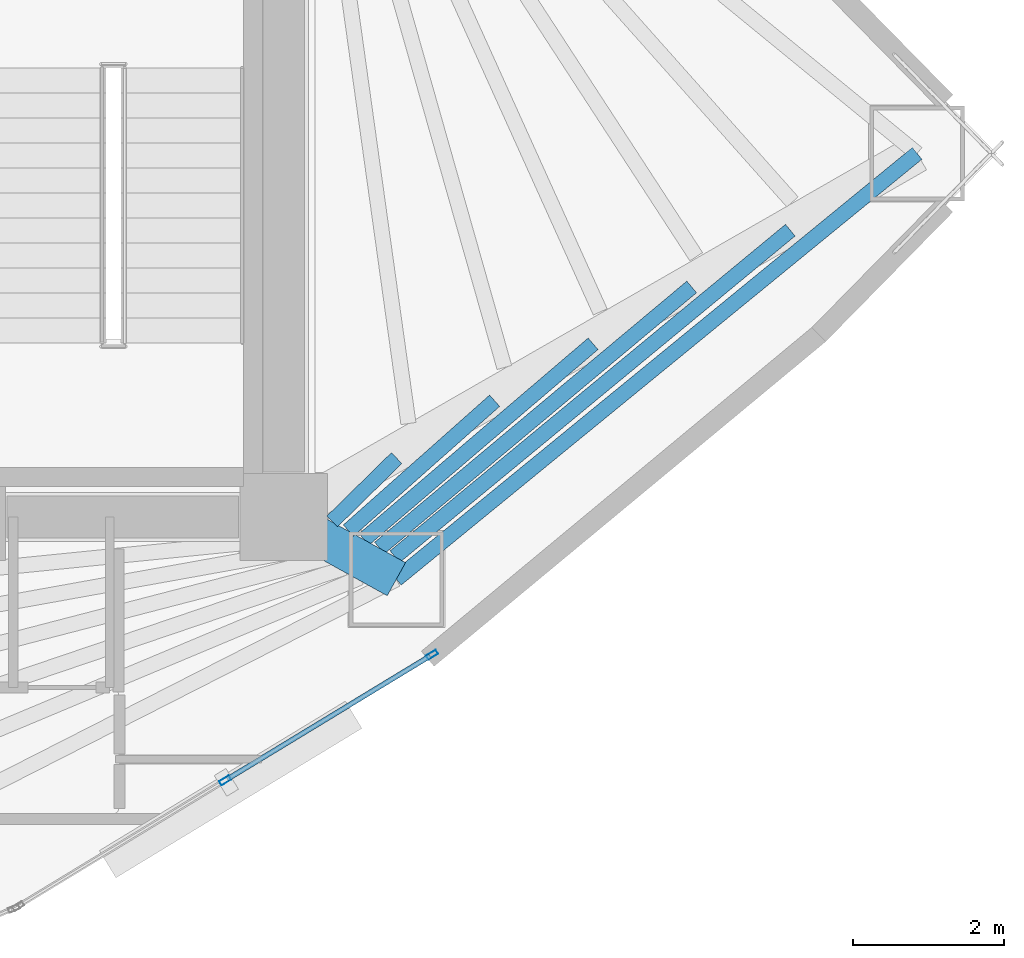
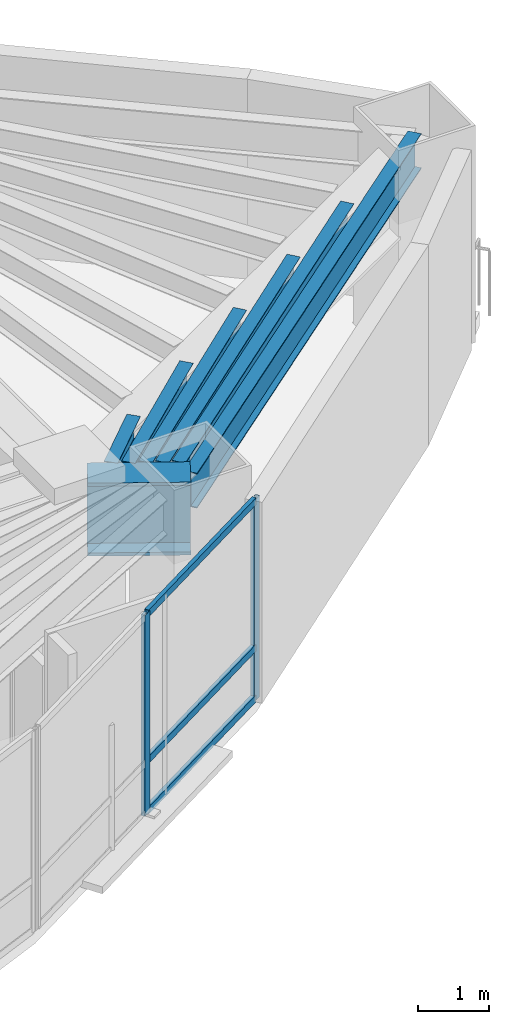
# One storey, part 9 of 17: 7 beams, 5 members, 1 element without a shape of its own.
"""IFC4 building model written with IfcOpenShell, lengths in metres."""

from ifc_helpers import new_model, si_unit, direction, frame, origin, origin_2d, place, context, subcontext, project, spatial, hollow_rectangle, i_section, extrude, material, layer, layer_set, material_profile, profile_set, type_object, element, aggregate, save


model = new_model("IFC4")

# Units and contexts
model_context = context("Model", 3, precision=1e-05, world=origin(), true_north=direction((0.0, 1.0)))
body_context = subcontext(model_context, "Body", "Model", "MODEL_VIEW")
ifc_project = project(units=[si_unit("LENGTHUNIT", "METRE"), si_unit("AREAUNIT", "SQUARE_METRE"), si_unit("VOLUMEUNIT", "CUBIC_METRE"), si_unit("PLANEANGLEUNIT", "RADIAN"), si_unit("MASSUNIT", "GRAM", prefix="KILO")], contexts=[model_context])

# Site, building, storey
site_placement = place(None, origin())
site = spatial("IfcSite", under=ifc_project, at=site_placement, CompositionType="ELEMENT")
building_placement = place(site_placement, origin())
building = spatial("IfcBuilding", under=site, at=building_placement, Name="Menara Vayukalpa", CompositionType="ELEMENT")
storey_placement = place(building_placement, frame((0.0, 0.0, 100.260009765625)))
storey = spatial("IfcBuildingStorey", under=building, at=storey_placement, Name="L24", CompositionType="ELEMENT", Elevation=100.260009765625)

# Beams
ifc_material_1 = material(Name="Steel S355", Category="steel")
ifc_material_profile_1 = material_profile(ifc_material_1, i_section(OverallWidth=0.199951171875, OverallDepth=0.39990234375, WebThickness=0.008056640625, FlangeThickness=0.012939453125, at=origin_2d()), Name="WF 400x200x8x13")
ifc_profile_set_1 = profile_set([ifc_material_profile_1], Name="Steel S355")
beam_type_1 = type_object("IfcBeamType", Name="BM-SJ2", PredefinedType="JOIST", material=ifc_profile_set_1)
beam_1_placement = place(storey_placement, frame((34.039794921875, 17.14208984375, 3.239990234375), z_axis=(0.713530452505, 0.70062421693, 0.0), x_axis=(-0.70062421693, 0.713530452505, 0.0)))
element("IfcBeam", 1, at=beam_1_placement, inside=storey, type_object=beam_type_1, Name="L24 Secondary Floor Joist SJ09-1", PredefinedType="JOIST", context=body_context, shape_type="SweptSolid", body=[
    extrude(i_section(OverallWidth=0.199951171875, OverallDepth=0.39990234375, WebThickness=0.008056640625, FlangeThickness=0.012939453125, at=origin_2d()), origin(), (0.0, 0.0, 1.0), 1.191650390625),
])
beam_2_placement = place(storey_placement, frame((34.251953125, 17.02001953125, 3.239990234375), z_axis=(0.747862738259, 0.663853390986, 0.0), x_axis=(-0.663853390986, 0.747862738259, 0.0)))
element("IfcBeam", 2, at=beam_2_placement, inside=storey, type_object=beam_type_1, Name="L24 Secondary Floor Joist SJ09-2", PredefinedType="JOIST", context=body_context, shape_type="SweptSolid", body=[
    extrude(i_section(OverallWidth=0.199951171875, OverallDepth=0.39990234375, WebThickness=0.008056640625, FlangeThickness=0.012939453125, at=origin_2d()), origin(), (0.0, 0.0, 1.0), 2.58349609375),
])
beam_3_placement = place(storey_placement, frame((34.458251953125, 16.904052734375, 3.239990234375), z_axis=(0.760546023616, 0.649284025648, 0.0), x_axis=(-0.649284025648, 0.760546023616, 0.0)))
element("IfcBeam", 3, at=beam_3_placement, inside=storey, type_object=beam_type_1, Name="L24 Secondary Floor Joist SJ09-3", PredefinedType="JOIST", context=body_context, shape_type="SweptSolid", body=[
    extrude(i_section(OverallWidth=0.199951171875, OverallDepth=0.39990234375, WebThickness=0.008056640625, FlangeThickness=0.012939453125, at=origin_2d()), origin(), (0.0, 0.0, 1.0), 3.978271484375),
])
beam_4_placement = place(storey_placement, frame((34.662841796875, 16.789794921875, 3.239990234375), z_axis=(0.767140280066, 0.641479376675, 0.0), x_axis=(-0.641479376675, 0.767140280066, 0.0)))
element("IfcBeam", 4, at=beam_4_placement, inside=storey, type_object=beam_type_1, Name="L24 Secondary Floor Joist SJ09-4", PredefinedType="JOIST", context=body_context, shape_type="SweptSolid", body=[
    extrude(i_section(OverallWidth=0.199951171875, OverallDepth=0.39990234375, WebThickness=0.008056640625, FlangeThickness=0.012939453125, at=origin_2d()), origin(), (0.0, 0.0, 1.0), 5.3740234375),
])
beam_5_placement = place(storey_placement, frame((34.86669921875, 16.67626953125, 3.239990234375), z_axis=(0.771154174246, 0.636648442661, 0.0), x_axis=(-0.636648442661, 0.771154174246, 0.0)))
element("IfcBeam", 5, at=beam_5_placement, inside=storey, type_object=beam_type_1, Name="L24 Secondary Floor Joist SJ09-5", PredefinedType="JOIST", context=body_context, shape_type="SweptSolid", body=[
    extrude(i_section(OverallWidth=0.199951171875, OverallDepth=0.39990234375, WebThickness=0.008056640625, FlangeThickness=0.012939453125, at=origin_2d()), origin(), (0.0, 0.0, 1.0), 6.770263671875),
])
ifc_material_2 = material(Name="Steel S355", Category="steel")
ifc_material_profile_2 = material_profile(ifc_material_2, i_section(OverallWidth=0.199951171875, OverallDepth=0.60009765625, WebThickness=0.010986328125, FlangeThickness=0.01708984375, at=origin_2d()), Name="WF 600x200x11x17")
ifc_profile_set_2 = profile_set([ifc_material_profile_2], Name="Steel S355")
beam_type_2 = type_object("IfcBeamType", Name="BM-SP1", PredefinedType="SPANDREL", material=ifc_profile_set_2)
beam_6_placement = place(storey_placement, frame((34.88671875, 16.37841796875, 3.139892578125), z_axis=(0.774156906301, 0.632993747541, 0.0), x_axis=(-0.632993747541, 0.774156906301, 0.0)))
element("IfcBeam", 6, at=beam_6_placement, inside=storey, type_object=beam_type_2, Name="L24 Perimeter Spandrel Beam SP09", PredefinedType="SPANDREL", context=body_context, shape_type="SweptSolid", body=[
    extrude(i_section(OverallWidth=0.199951171875, OverallDepth=0.60009765625, WebThickness=0.010986328125, FlangeThickness=0.01708984375, at=origin_2d()), origin(), (0.0, 0.0, 1.0), 8.880859375),
])
ifc_material_3 = material(Name="Steel S460", Category="steel")
ifc_material_profile_3 = material_profile(ifc_material_3, i_section(OverallWidth=0.5, OverallDepth=1.25, WebThickness=0.028076171875, FlangeThickness=0.054931640625, at=origin_2d()), Name="WG 1250x500x28x55")
ifc_profile_set_3 = profile_set([ifc_material_profile_3], Name="Steel S460")
beam_type_3 = type_object("IfcBeamType", Name="BM-TG2", PredefinedType="BEAM", material=ifc_profile_set_3)
beam_7_placement = place(storey_placement, frame((33.618896484375, 17.0791015625, 2.81494140625), z_axis=(0.875228391676, -0.48370989488, 0.0), x_axis=(0.48370989488, 0.875228391676, 0.0)))
element("IfcBeam", 7, at=beam_7_placement, inside=storey, type_object=beam_type_3, Name="L24 Primary Radial Girder RG09", PredefinedType="BEAM", context=body_context, shape_type="SweptSolid", body=[
    extrude(i_section(OverallWidth=0.5, OverallDepth=1.25, WebThickness=0.028076171875, FlangeThickness=0.054931640625, at=origin_2d()), origin(), (0.0, 0.0, 1.0), 1.448486328125),
])

# Curtain wall, members
ifc_material_4 = material(Name="Anodised Terracotta Aluminium Alloy 6063-T6", Category="masonry")
ifc_layer = layer(ifc_material_4, 0.14990234375)
ifc_layer_set = layer_set([ifc_layer], Name="Anodised Terracotta Aluminium Alloy 6063-T6")
curtain_wall_type = type_object("IfcCurtainWallType", Name="CW-CW3", PredefinedType="USERDEFINED", material=ifc_layer_set)
curtain_wall_placement = place(storey_placement, origin())
curtain_wall = element("IfcCurtainWall", 8, at=curtain_wall_placement, inside=storey, type_object=curtain_wall_type, Name="L24 Mid Rise Terracotta Ribbon Curtain Wall CW3 17", ObjectType="UNITISED", PredefinedType="USERDEFINED")
ifc_material_5 = material(Name="Anodised Terracotta Aluminium Alloy 6063-T6", Category="masonry")
ifc_material_profile_4 = material_profile(ifc_material_5, hollow_rectangle(XDim=0.06494140625, YDim=0.14990234375, WallThickness=0.00341796875, at=origin_2d()), Name="ALU 65x150x3.5")
ifc_profile_set_4 = profile_set([ifc_material_profile_4], Name="Anodised Terracotta Aluminium Alloy 6063-T6")
member_type_1 = type_object("IfcMemberType", Name="CWM-CW3", PredefinedType="MULLION", material=ifc_profile_set_4)
member_1_placement = place(storey_placement, frame((32.6259765625, 13.721435546875, 0.0), z_axis=(0.0, 0.0, 1.0), x_axis=(-0.519182959112, 0.854663123674, 0.0)))
member_1 = element("IfcMember", 9, at=member_1_placement, type_object=member_type_1, Name="CW3 mullion 2", PredefinedType="MULLION", context=body_context, shape_type="SweptSolid", body=[
    extrude(hollow_rectangle(XDim=0.06494140625, YDim=0.14990234375, WallThickness=0.00341796875, at=origin_2d()), origin(), (0.0, 0.0, 1.0), 3.43994140625),
])
member_2_placement = place(storey_placement, frame((35.358154296875, 15.38134765625, 0.0), z_axis=(0.0, 0.0, 1.0), x_axis=(-0.519182959112, 0.854663123674, 0.0)))
member_2 = element("IfcMember", 10, at=member_2_placement, type_object=member_type_1, Name="CW3 mullion 3", PredefinedType="MULLION", context=body_context, shape_type="SweptSolid", body=[
    extrude(hollow_rectangle(XDim=0.06494140625, YDim=0.14990234375, WallThickness=0.00341796875, at=origin_2d()), origin(), (0.0, 0.0, 1.0), 3.43994140625),
])
ifc_material_6 = material(Name="Anodised Terracotta Aluminium Alloy 6063-T6", Category="masonry")
ifc_material_profile_5 = material_profile(ifc_material_6, hollow_rectangle(XDim=0.06494140625, YDim=0.1201171875, WallThickness=0.00341796875, at=origin_2d()), Name="ALU 65x120x3.5")
ifc_profile_set_5 = profile_set([ifc_material_profile_5], Name="Anodised Terracotta Aluminium Alloy 6063-T6")
member_type_2 = type_object("IfcMemberType", Name="CWT-CW3", PredefinedType="USERDEFINED", material=ifc_profile_set_5)
member_3_placement = place(storey_placement, frame((32.65380859375, 13.73828125, 0.032470703125), z_axis=(0.854673871166, 0.519165266506, 0.0), x_axis=(-0.519165266506, 0.854673871166, 0.0)))
member_3 = element("IfcMember", 11, at=member_3_placement, type_object=member_type_2, Name="CW3 transom 2.1", ObjectType="TRANSOM", PredefinedType="USERDEFINED", context=body_context, shape_type="SweptSolid", body=[
    extrude(hollow_rectangle(XDim=0.06494140625, YDim=0.1201171875, WallThickness=0.00341796875, at=origin_2d()), origin(), (0.0, 0.0, 1.0), 3.1318359375),
])
member_4_placement = place(storey_placement, frame((32.65380859375, 13.73828125, 0.89990234375), z_axis=(0.854673871166, 0.519165266506, 0.0), x_axis=(-0.519165266506, 0.854673871166, 0.0)))
member_4 = element("IfcMember", 12, at=member_4_placement, type_object=member_type_2, Name="CW3 transom 2.2", ObjectType="TRANSOM", PredefinedType="USERDEFINED", context=body_context, shape_type="SweptSolid", body=[
    extrude(hollow_rectangle(XDim=0.06494140625, YDim=0.1201171875, WallThickness=0.00341796875, at=origin_2d()), origin(), (0.0, 0.0, 1.0), 3.1318359375),
])
member_5_placement = place(storey_placement, frame((32.65380859375, 13.73828125, 3.407470703125), z_axis=(0.854673871166, 0.519165266506, 0.0), x_axis=(-0.519165266506, 0.854673871166, 0.0)))
member_5 = element("IfcMember", 13, at=member_5_placement, type_object=member_type_2, Name="CW3 transom 2.3", ObjectType="TRANSOM", PredefinedType="USERDEFINED", context=body_context, shape_type="SweptSolid", body=[
    extrude(hollow_rectangle(XDim=0.06494140625, YDim=0.1201171875, WallThickness=0.00341796875, at=origin_2d()), origin(), (0.0, 0.0, 1.0), 3.1318359375),
])
aggregate(curtain_wall, [member_1, member_2, member_3, member_4, member_5])

save(model, "model.ifc")
